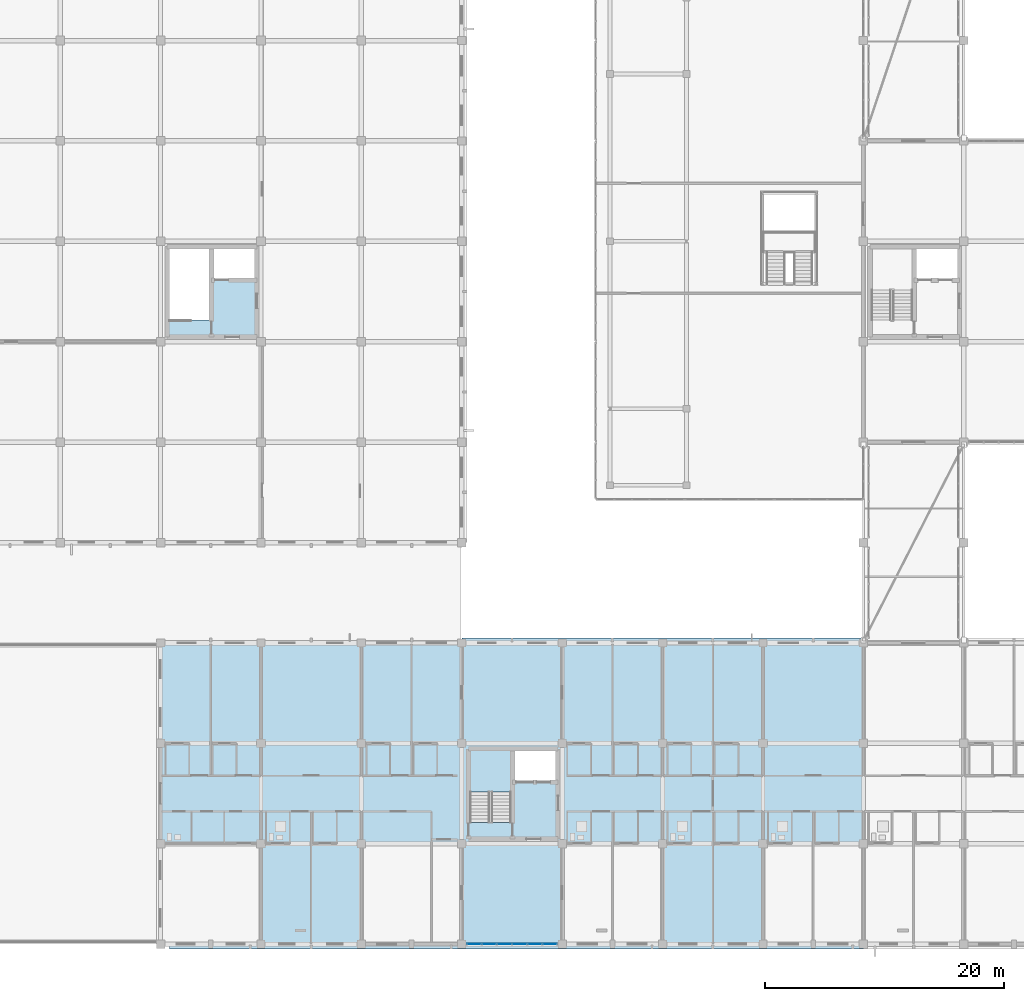
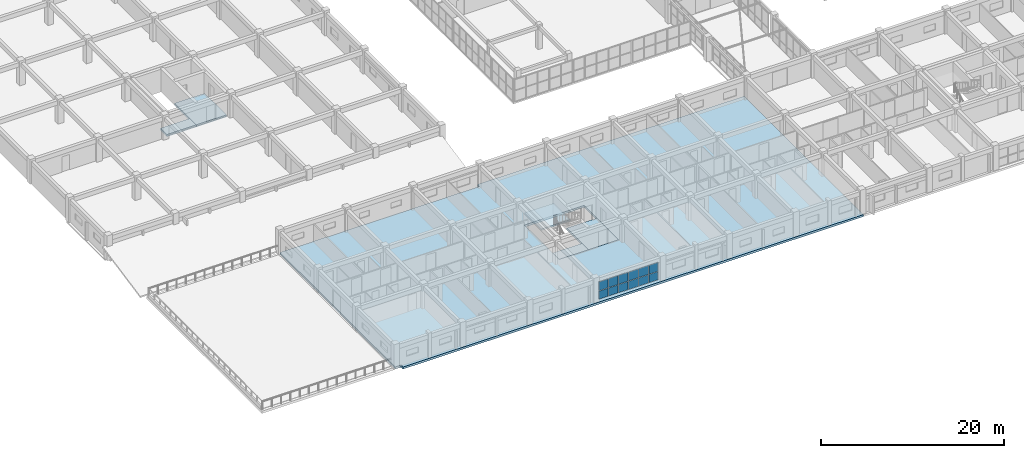
# One storey, part 98 of 148: 12 plates, 6 slabs, 2 elements without a shape of their own.
"""IFC4 building model written with IfcOpenShell, lengths in metres."""

from ifc_helpers import new_model, si_unit, direction, frame, origin, origin_2d, place, context, subcontext, project, spatial, polyline, rectangle, outline, extrude, material, layer, layer_set, type_object, element, aggregate, save


model = new_model("IFC4")

# Units and contexts
model_context = context("Model", 3, precision=1e-05, world=origin(), true_north=direction((0.0, 1.0)))
body_context = subcontext(model_context, "Body", "Model", "MODEL_VIEW")
ifc_project = project(units=[si_unit("LENGTHUNIT", "METRE"), si_unit("AREAUNIT", "SQUARE_METRE"), si_unit("VOLUMEUNIT", "CUBIC_METRE"), si_unit("PLANEANGLEUNIT", "RADIAN"), si_unit("MASSUNIT", "GRAM", prefix="KILO")], contexts=[model_context])

# Site, building, storey
site_placement = place(None, origin())
site = spatial("IfcSite", under=ifc_project, at=site_placement, CompositionType="ELEMENT")
building_placement = place(site_placement, origin())
building = spatial("IfcBuilding", under=site, at=building_placement, Name="Trelvath General Hospital", CompositionType="ELEMENT")
storey_placement = place(building_placement, frame((0.0, 0.0, 12.89990234375)))
storey = spatial("IfcBuildingStorey", under=building, at=storey_placement, Name="L03", CompositionType="ELEMENT", Elevation=12.89990234375)

# Curtain wall, plates
ifc_material_1 = material(Name="Anodised aluminium and low-E glass", Category="aluminium")
ifc_layer_1 = layer(ifc_material_1, 0.159912109375)
ifc_layer_set_1 = layer_set([ifc_layer_1], Name="Anodised aluminium and low-E glass")
curtain_wall_type = type_object("IfcCurtainWallType", Name="CW Facade 759 244 16", PredefinedType="USERDEFINED", material=ifc_layer_set_1)
curtain_wall_placement = place(storey_placement, origin())
curtain_wall = element("IfcCurtainWall", 1, at=curtain_wall_placement, inside=storey, type_object=curtain_wall_type, Name="Facade Curtain Wall CW-056", ObjectType="Unitised Glazed Curtain Wall", PredefinedType="USERDEFINED")
ifc_material_2 = material(Name="Insulated aluminium spandrel", Category="aluminium")
ifc_layer_2 = layer(ifc_material_2, 0.0439453125)
ifc_layer_set_2 = layer_set([ifc_layer_2], Name="Insulated aluminium spandrel")
plate_type = type_object("IfcPlateType", Name="CurtainPanel Spandrel44", PredefinedType="CURTAIN_PANEL", material=ifc_layer_set_2)
plate_1_placement = place(storey_placement, frame((49.347412109375, 0.0, 0.06005859375), z_axis=(0.0, 0.0, 1.0), x_axis=(-1.0, 0.0, 0.0)))
plate_1 = element("IfcPlate", 2, at=plate_1_placement, type_object=plate_type, Name="CW-056 panel 1.1", PredefinedType="CURTAIN_PANEL", context=body_context, shape_type="SweptSolid", body=[
    extrude(rectangle(XDim=1.175048828125, YDim=0.0439453125, at=origin_2d()), origin(), (0.0, 0.0, 1.0), 1.0810546875),
])
plate_2_placement = place(storey_placement, frame((49.347412109375, 0.0, 1.201171875), z_axis=(0.0, 0.0, 1.0), x_axis=(-1.0, 0.0, 0.0)))
plate_2 = element("IfcPlate", 3, at=plate_2_placement, type_object=plate_type, Name="CW-056 panel 1.2", PredefinedType="CURTAIN_PANEL", context=body_context, shape_type="SweptSolid", body=[
    extrude(rectangle(XDim=1.175048828125, YDim=0.0439453125, at=origin_2d()), origin(), (0.0, 0.0, 1.0), 1.178955078125),
])
plate_3_placement = place(storey_placement, frame((48.097412109375, 0.0, 0.06005859375), z_axis=(0.0, 0.0, 1.0), x_axis=(-1.0, 0.0, 0.0)))
plate_3 = element("IfcPlate", 4, at=plate_3_placement, type_object=plate_type, Name="CW-056 panel 2.1", PredefinedType="CURTAIN_PANEL", context=body_context, shape_type="SweptSolid", body=[
    extrude(rectangle(XDim=1.205078125, YDim=0.0439453125, at=origin_2d()), origin(), (0.0, 0.0, 1.0), 1.0810546875),
])
plate_4_placement = place(storey_placement, frame((48.097412109375, 0.0, 1.201171875), z_axis=(0.0, 0.0, 1.0), x_axis=(-1.0, 0.0, 0.0)))
plate_4 = element("IfcPlate", 5, at=plate_4_placement, type_object=plate_type, Name="CW-056 panel 2.2", PredefinedType="CURTAIN_PANEL", context=body_context, shape_type="SweptSolid", body=[
    extrude(rectangle(XDim=1.205078125, YDim=0.0439453125, at=origin_2d()), origin(), (0.0, 0.0, 1.0), 1.178955078125),
])
plate_5_placement = place(storey_placement, frame((46.83251953125, 0.0, 0.06005859375), z_axis=(0.0, 0.0, 1.0), x_axis=(-1.0, 0.0, 0.0)))
plate_5 = element("IfcPlate", 6, at=plate_5_placement, type_object=plate_type, Name="CW-056 panel 3.1", PredefinedType="CURTAIN_PANEL", context=body_context, shape_type="SweptSolid", body=[
    extrude(rectangle(XDim=1.205078125, YDim=0.0439453125, at=origin_2d()), origin(), (0.0, 0.0, 1.0), 1.0810546875),
])
plate_6_placement = place(storey_placement, frame((46.83251953125, 0.0, 1.201171875), z_axis=(0.0, 0.0, 1.0), x_axis=(-1.0, 0.0, 0.0)))
plate_6 = element("IfcPlate", 7, at=plate_6_placement, type_object=plate_type, Name="CW-056 panel 3.2", PredefinedType="CURTAIN_PANEL", context=body_context, shape_type="SweptSolid", body=[
    extrude(rectangle(XDim=1.205078125, YDim=0.0439453125, at=origin_2d()), origin(), (0.0, 0.0, 1.0), 1.178955078125),
])
plate_7_placement = place(storey_placement, frame((45.5673828125, 0.0, 0.06005859375), z_axis=(0.0, 0.0, 1.0), x_axis=(-1.0, 0.0, 0.0)))
plate_7 = element("IfcPlate", 8, at=plate_7_placement, type_object=plate_type, Name="CW-056 panel 4.1", PredefinedType="CURTAIN_PANEL", context=body_context, shape_type="SweptSolid", body=[
    extrude(rectangle(XDim=1.205078125, YDim=0.0439453125, at=origin_2d()), origin(), (0.0, 0.0, 1.0), 1.0810546875),
])
plate_8_placement = place(storey_placement, frame((45.5673828125, 0.0, 1.201171875), z_axis=(0.0, 0.0, 1.0), x_axis=(-1.0, 0.0, 0.0)))
plate_8 = element("IfcPlate", 9, at=plate_8_placement, type_object=plate_type, Name="CW-056 panel 4.2", PredefinedType="CURTAIN_PANEL", context=body_context, shape_type="SweptSolid", body=[
    extrude(rectangle(XDim=1.205078125, YDim=0.0439453125, at=origin_2d()), origin(), (0.0, 0.0, 1.0), 1.178955078125),
])
plate_9_placement = place(storey_placement, frame((44.302490234375, 0.0, 0.06005859375), z_axis=(0.0, 0.0, 1.0), x_axis=(-1.0, 0.0, 0.0)))
plate_9 = element("IfcPlate", 10, at=plate_9_placement, type_object=plate_type, Name="CW-056 panel 5.1", PredefinedType="CURTAIN_PANEL", context=body_context, shape_type="SweptSolid", body=[
    extrude(rectangle(XDim=1.205078125, YDim=0.0439453125, at=origin_2d()), origin(), (0.0, 0.0, 1.0), 1.0810546875),
])
plate_10_placement = place(storey_placement, frame((44.302490234375, 0.0, 1.201171875), z_axis=(0.0, 0.0, 1.0), x_axis=(-1.0, 0.0, 0.0)))
plate_10 = element("IfcPlate", 11, at=plate_10_placement, type_object=plate_type, Name="CW-056 panel 5.2", PredefinedType="CURTAIN_PANEL", context=body_context, shape_type="SweptSolid", body=[
    extrude(rectangle(XDim=1.205078125, YDim=0.0439453125, at=origin_2d()), origin(), (0.0, 0.0, 1.0), 1.178955078125),
])
plate_11_placement = place(storey_placement, frame((43.052490234375, 0.0, 0.06005859375), z_axis=(0.0, 0.0, 1.0), x_axis=(-1.0, 0.0, 0.0)))
plate_11 = element("IfcPlate", 12, at=plate_11_placement, type_object=plate_type, Name="CW-056 panel 6.1", PredefinedType="CURTAIN_PANEL", context=body_context, shape_type="SweptSolid", body=[
    extrude(rectangle(XDim=1.175048828125, YDim=0.0439453125, at=origin_2d()), origin(), (0.0, 0.0, 1.0), 1.0810546875),
])
plate_12_placement = place(storey_placement, frame((43.052490234375, 0.0, 1.201171875), z_axis=(0.0, 0.0, 1.0), x_axis=(-1.0, 0.0, 0.0)))
plate_12 = element("IfcPlate", 13, at=plate_12_placement, type_object=plate_type, Name="CW-056 panel 6.2", PredefinedType="CURTAIN_PANEL", context=body_context, shape_type="SweptSolid", body=[
    extrude(rectangle(XDim=1.175048828125, YDim=0.0439453125, at=origin_2d()), origin(), (0.0, 0.0, 1.0), 1.178955078125),
])
aggregate(curtain_wall, [plate_1, plate_2, plate_3, plate_4, plate_5, plate_6, plate_7, plate_8, plate_9, plate_10, plate_11, plate_12])

# Slabs
ifc_material_3 = material(Name="Concrete C35/45", Category="concrete")
ifc_layer_3 = layer(ifc_material_3, 0.280029296875)
ifc_layer_set_3 = layer_set([ifc_layer_3], Name="Concrete C35/45")
slab_type_1 = type_object("IfcSlabType", Name="FlatSlab Clinical280", PredefinedType="FLOOR", material=ifc_layer_set_3)
slab_1_placement = place(storey_placement, frame((0.0, 0.0, -0.27978515625)))
element("IfcSlab", 14, at=slab_1_placement, inside=storey, type_object=slab_type_1, Name="Floor Slab SL-L03-V6-S1", PredefinedType="FLOOR", context=body_context, shape_type="SweptSolid", body=[
    extrude(outline(polyline([(16.800048828125, 25.199951171875), (42.0, 25.199951171875), (42.0, 25.6201171875), (75.60009765625, 25.6201171875), (75.60009765625, 25.219970703125), (75.580078125, 25.219970703125), (75.60009765625, 25.199951171875), (75.60009765625, 0.0), (75.580078125, 0.0), (75.60009765625, -0.02001953125), (75.60009765625, -0.419921875), (17.550048828125, -0.419921875), (17.550048828125, 0.0), (16.800048828125, 0.0), (16.800048828125, 25.199951171875)]), holes=[polyline([(42.550048828125, 8.800048828125), (50.050048828125, 8.800048828125), (50.050048828125, 16.35009765625), (42.550048828125, 16.35009765625), (42.550048828125, 8.800048828125)])]), origin(), (0.0, 0.0, 1.0), 0.27978515625),
])
slab_2_placement = place(storey_placement, frame((0.0, 0.0, -0.27978515625)))
element("IfcSlab", 15, at=slab_2_placement, inside=storey, type_object=slab_type_1, Name="Core Lobby Slab C4 L03", PredefinedType="FLOOR", context=body_context, shape_type="SweptSolid", body=[
    extrude(outline(polyline([(46.25, 8.800048828125), (50.050048828125, 8.800048828125), (50.050048828125, 13.550048828125), (46.25, 13.550048828125), (46.25, 8.800048828125)])), origin(), (0.0, 0.0, 1.0), 0.27978515625),
])
slab_3_placement = place(storey_placement, frame((0.0, 0.0, -0.27978515625)))
element("IfcSlab", 16, at=slab_3_placement, inside=storey, type_object=slab_type_1, Name="Stair Landing Slab C4 L03", PredefinedType="FLOOR", context=body_context, shape_type="SweptSolid", body=[
    extrude(outline(polyline([(42.550048828125, 8.800048828125), (46.25, 8.800048828125), (46.25, 10.199951171875), (42.550048828125, 10.199951171875), (42.550048828125, 8.800048828125)])), origin(), (0.0, 0.0, 1.0), 0.27978515625),
])
slab_4_placement = place(storey_placement, frame((0.0, 0.0, -0.27978515625)))
element("IfcSlab", 17, at=slab_4_placement, inside=storey, type_object=slab_type_1, Name="Core Lobby Slab C8 L03", PredefinedType="FLOOR", context=body_context, shape_type="SweptSolid", body=[
    extrude(outline(polyline([(21.050048828125, 50.800048828125), (24.85009765625, 50.800048828125), (24.85009765625, 55.550048828125), (21.050048828125, 55.550048828125), (21.050048828125, 50.800048828125)])), origin(), (0.0, 0.0, 1.0), 0.27978515625),
])
slab_5_placement = place(storey_placement, frame((0.0, 0.0, -0.27978515625)))
element("IfcSlab", 18, at=slab_5_placement, inside=storey, type_object=slab_type_1, Name="Stair Landing Slab C8 L03", PredefinedType="FLOOR", context=body_context, shape_type="SweptSolid", body=[
    extrude(outline(polyline([(17.35009765625, 50.800048828125), (21.050048828125, 50.800048828125), (21.050048828125, 52.199951171875), (17.35009765625, 52.199951171875), (17.35009765625, 50.800048828125)])), origin(), (0.0, 0.0, 1.0), 0.27978515625),
])

# Stair, slab
ifc_material_4 = material(Name="Concrete C35/45", Category="concrete")
stair_type = type_object("IfcStairType", Name="Stair Stretcher330", PredefinedType="TWO_STRAIGHT_RUN_STAIR", material=ifc_material_4)
stair_placement = place(storey_placement, origin())
stair = element("IfcStair", 19, at=stair_placement, inside=storey, type_object=stair_type, Name="Exit Stair ST4 L03", PredefinedType="TWO_STRAIGHT_RUN_STAIR")
ifc_material_5 = material(Name="Concrete C35/45", Category="concrete")
ifc_layer_4 = layer(ifc_material_5, 0.199951171875)
ifc_layer_set_4 = layer_set([ifc_layer_4], Name="Concrete C35/45")
slab_type_2 = type_object("IfcSlabType", Name="StairLanding 200", PredefinedType="LANDING", material=ifc_layer_set_4)
slab_6_placement = place(storey_placement, frame((0.0, 0.0, 1.4501953125)))
slab_6 = element("IfcSlab", 20, at=slab_6_placement, type_object=slab_type_2, Name="ST4-L03 landing 1", PredefinedType="LANDING", context=body_context, shape_type="SweptSolid", body=[
    extrude(outline(polyline([(42.56005859375, 12.719970703125), (46.239990234375, 12.719970703125), (46.239990234375, 16.340087890625), (42.56005859375, 16.340087890625), (42.56005859375, 12.719970703125)])), origin(), (0.0, 0.0, 1.0), 0.199951171875),
])
aggregate(stair, [slab_6])

save(model, "model.ifc")
